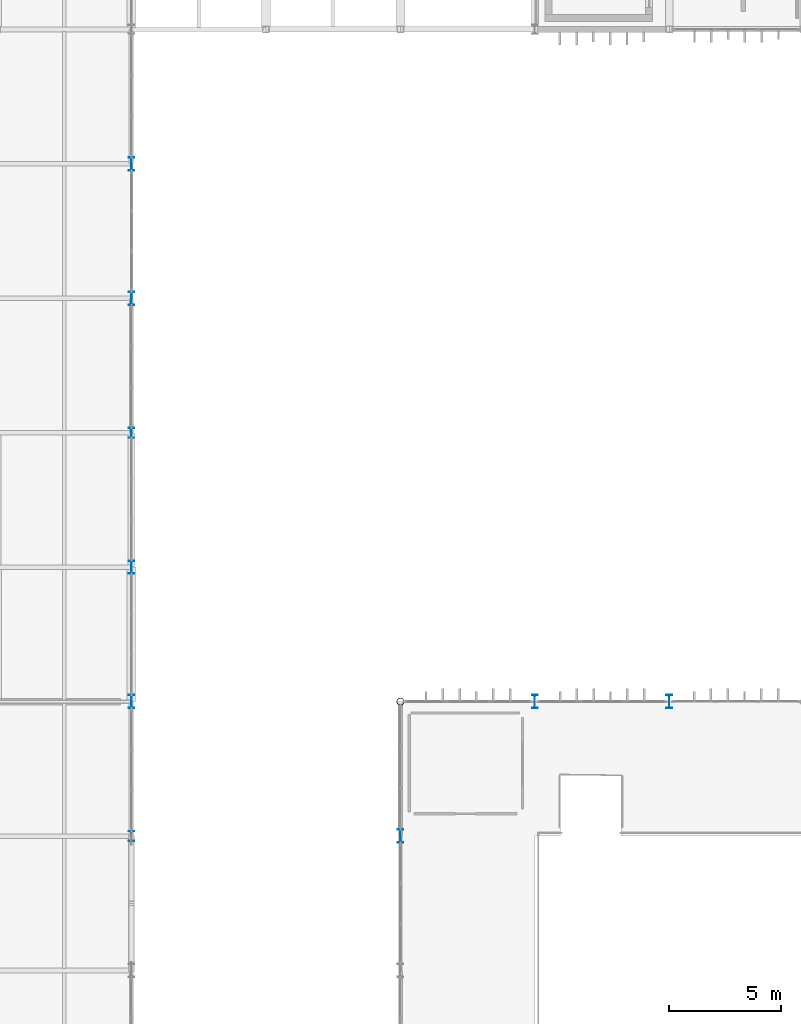
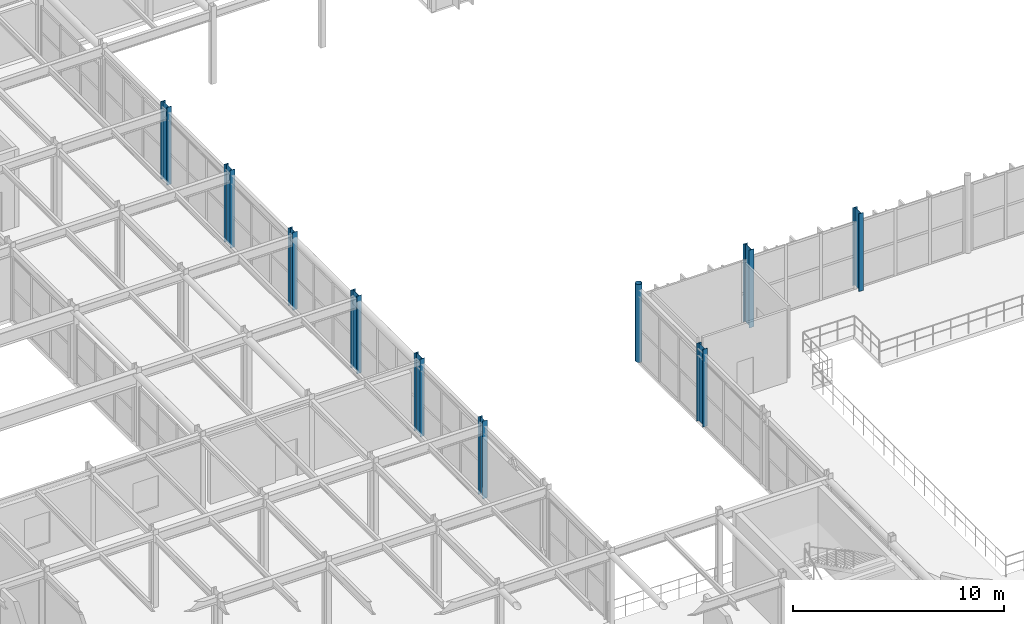
# One storey, part 6 of 96: 10 columns.
"""IFC4 building model written with IfcOpenShell, lengths in metres."""

from ifc_helpers import new_model, si_unit, direction, frame, origin, origin_2d, place, context, subcontext, project, spatial, hollow_circle, i_section, extrude, material, material_profile, profile_set, type_object, element, save


model = new_model("IFC4")

# Units and contexts
model_context = context("Model", 3, precision=1e-05, world=origin(), true_north=direction((0.0, 1.0)))
body_context = subcontext(model_context, "Body", "Model", "MODEL_VIEW")
ifc_project = project(units=[si_unit("LENGTHUNIT", "METRE"), si_unit("AREAUNIT", "SQUARE_METRE"), si_unit("VOLUMEUNIT", "CUBIC_METRE"), si_unit("PLANEANGLEUNIT", "RADIAN"), si_unit("MASSUNIT", "GRAM", prefix="KILO")], contexts=[model_context])

# Site, building, storey
site_placement = place(None, origin())
site = spatial("IfcSite", under=ifc_project, at=site_placement, CompositionType="ELEMENT")
building_placement = place(site_placement, origin())
building = spatial("IfcBuilding", under=site, at=building_placement, Name="Varnakota Square Police Headquarters", CompositionType="ELEMENT")
storey_placement = place(building_placement, frame((0.0, 0.0, 4.800048828125)))
storey = spatial("IfcBuildingStorey", under=building, at=storey_placement, Name="L01", CompositionType="ELEMENT", Elevation=4.800048828125)

# Columns
ifc_material = material(Name="Steel IS 2062 Grade 350", Category="steel")
ifc_material_profile_1 = material_profile(ifc_material, hollow_circle(Radius=0.161865234375, WallThickness=0.0126953125, at=origin_2d()), Name="CHS 323.9x12.7")
ifc_profile_set_1 = profile_set([ifc_material_profile_1], Name="Steel IS 2062 Grade 350")
column_type_1 = type_object("IfcColumnType", Name="COL-CHS324", PredefinedType="COLUMN", material=ifc_profile_set_1)
column_placement = place(storey_placement, frame((54.0, 39.0, 0.0), z_axis=(0.0, 0.0, 1.0), x_axis=(1.0, 0.0, 0.0)))
element("IfcColumn", 1, at=column_placement, inside=storey, type_object=column_type_1, Name="Column X0540-Y0390 L01", PredefinedType="COLUMN", context=body_context, shape_type="SweptSolid", body=[
    extrude(hollow_circle(Radius=0.161865234375, WallThickness=0.0126953125, at=origin_2d()), origin(), (0.0, 0.0, 1.0), 4.5),
])
ifc_material_profile_2 = material_profile(ifc_material, i_section(OverallWidth=0.25, OverallDepth=0.449951171875, WebThickness=0.01123046875, FlangeThickness=0.013671875, FilletRadius=0.014892578125, at=origin_2d()), Name="ISHB 450")
ifc_profile_set_2 = profile_set([ifc_material_profile_2], Name="Steel IS 2062 Grade 350")
column_type_2 = type_object("IfcColumnType", Name="COL-ISHB450", PredefinedType="COLUMN", material=ifc_profile_set_2)
for number, where, z_axis, x_axis, name in (
    (2, (42.0, 33.0, 0.0), (0.0, 0.0, 1.0), (1.0, 0.0, 0.0), "Column X0420-Y0330 L01"),
    (3, (42.0, 51.0, 0.0), (0.0, 0.0, 1.0), (1.0, 0.0, 0.0), "Column X0420-Y0510 L01"),
):
    element("IfcColumn", number, at=place(storey_placement, frame(where, z_axis=z_axis, x_axis=x_axis)), inside=storey, type_object=column_type_2, Name=name, PredefinedType="COLUMN", context=body_context, shape_type="SweptSolid", body=[
        extrude(i_section(OverallWidth=0.25, OverallDepth=0.449951171875, WebThickness=0.01123046875, FlangeThickness=0.013671875, FilletRadius=0.014892578125, at=origin_2d()), origin(), (0.0, 0.0, 1.0), 4.5),
    ])
ifc_material_profile_3 = material_profile(ifc_material, i_section(OverallWidth=0.25, OverallDepth=0.60009765625, WebThickness=0.01171875, FlangeThickness=0.023681640625, FilletRadius=0.01708984375, at=origin_2d()), Name="ISWB 600")
ifc_profile_set_3 = profile_set([ifc_material_profile_3], Name="Steel IS 2062 Grade 350")
column_type_3 = type_object("IfcColumnType", Name="COL-ISWB600", PredefinedType="COLUMN", material=ifc_profile_set_3)
for number, where, z_axis, x_axis, name in (
    (4, (42.0, 39.0, 0.0), (0.0, 0.0, 1.0), (1.0, 0.0, 0.0), "Column X0420-Y0390 L01"),
    (5, (42.0, 45.0, 0.0), (0.0, 0.0, 1.0), (1.0, 0.0, 0.0), "Column X0420-Y0450 L01"),
    (6, (42.0, 57.0, 0.0), (0.0, 0.0, 1.0), (1.0, 0.0, 0.0), "Column X0420-Y0570 L01"),
    (7, (42.0, 63.0, 0.0), (0.0, 0.0, 1.0), (1.0, 0.0, 0.0), "Column X0420-Y0630 L01"),
    (8, (54.0, 33.0, 0.0), (0.0, 0.0, 1.0), (1.0, 0.0, 0.0), "Column X0540-Y0330 L01"),
    (9, (60.0, 39.0, 0.0), (0.0, 0.0, 1.0), (1.0, 0.0, 0.0), "Column X0600-Y0390 L01"),
    (10, (66.0, 39.0, 0.0), (0.0, 0.0, 1.0), (1.0, 0.0, 0.0), "Column X0660-Y0390 L01"),
):
    element("IfcColumn", number, at=place(storey_placement, frame(where, z_axis=z_axis, x_axis=x_axis)), inside=storey, type_object=column_type_3, Name=name, PredefinedType="COLUMN", context=body_context, shape_type="SweptSolid", body=[
        extrude(i_section(OverallWidth=0.25, OverallDepth=0.60009765625, WebThickness=0.01171875, FlangeThickness=0.023681640625, FilletRadius=0.01708984375, at=origin_2d()), origin(), (0.0, 0.0, 1.0), 4.5),
    ])

save(model, "model.ifc")
